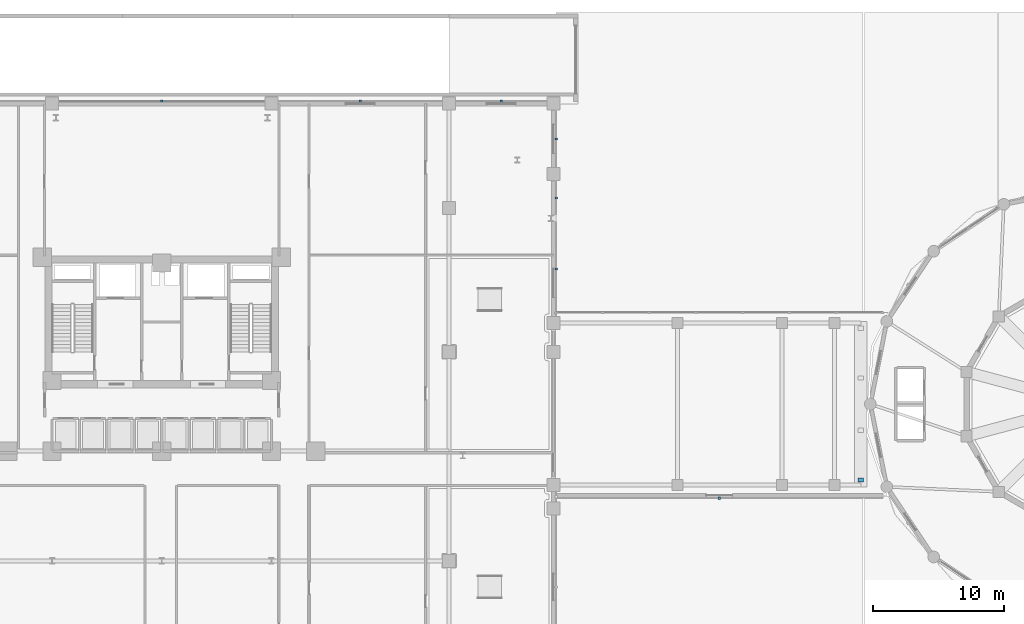
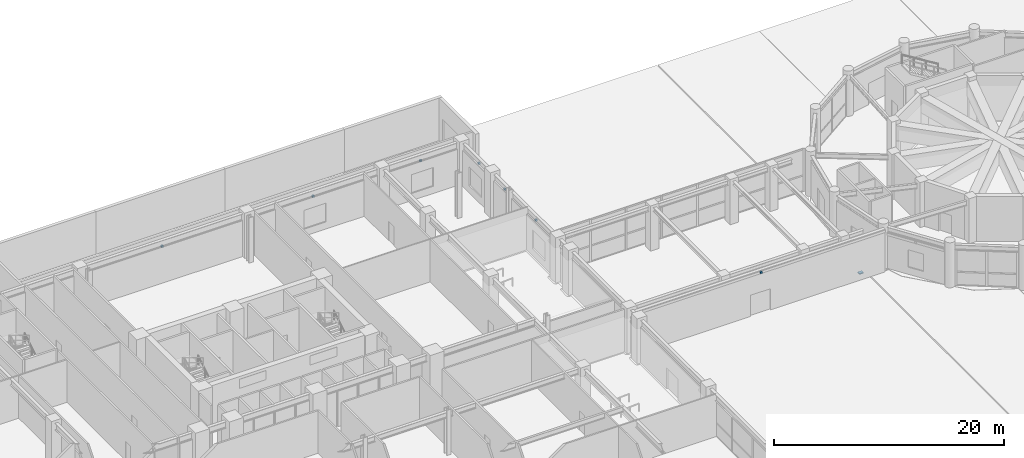
# One storey, part 33 of 40: 8 discrete accessories.
"""IFC4 building model written with IfcOpenShell, lengths in metres."""

from ifc_helpers import new_model, si_unit, derived_unit, direction, frame, origin, origin_2d, place, context, subcontext, project, spatial, rectangle, extrude, source, transform, mapped, material, type_object, element, save


model = new_model("IFC4")

# Units and contexts
model_context = context("Model", 3, precision=1e-05, world=origin(), true_north=direction((0.0, 1.0)))
body_context = subcontext(model_context, "Body", "Model", "MODEL_VIEW")
ifc_project = project(units=[si_unit("LENGTHUNIT", "METRE"), si_unit("AREAUNIT", "SQUARE_METRE"), si_unit("VOLUMEUNIT", "CUBIC_METRE"), si_unit("PLANEANGLEUNIT", "RADIAN"), si_unit("MASSUNIT", "GRAM", prefix="KILO"), derived_unit("THERMALTRANSMITTANCEUNIT", [(si_unit("POWERUNIT", "WATT"), 1), (si_unit("LENGTHUNIT", "METRE"), -2), (si_unit("THERMODYNAMICTEMPERATUREUNIT", "KELVIN"), -1)])], contexts=[model_context])

# Site, building, storey
site_placement = place(None, origin())
site = spatial("IfcSite", under=ifc_project, at=site_placement, CompositionType="ELEMENT")
building_placement = place(site_placement, origin())
building = spatial("IfcBuilding", under=site, at=building_placement, Name="Korsvarv Bourse and Concert Hall", CompositionType="ELEMENT")
storey_placement = place(building_placement, origin())
storey = spatial("IfcBuildingStorey", under=building, at=storey_placement, Name="L00", CompositionType="ELEMENT", Elevation=0.0)

# Discrete accessories
ifc_material_1 = material(Name="Steel S355 and PTFE bearing", Category="steel")
discrete_accessory_type_1 = type_object("IfcDiscreteAccessoryType", Name="ACC-PTFE", PredefinedType="USERDEFINED", material=ifc_material_1)
shared_shape_1 = source(origin(), body_context, "Body", "SweptSolid", [
    extrude(rectangle(XDim=0.39990234375, YDim=0.320068359375, at=origin_2d()), origin(), (0.0, 0.0, 1.0), 0.1201171875),
])
discrete_accessory_placement = place(storey_placement, frame((89.52001953125, 30.199951171875, -0.380126953125), z_axis=(0.0, 0.0, 1.0), x_axis=(1.0, 0.0, 0.0)))
element("IfcDiscreteAccessory", 1, at=discrete_accessory_placement, inside=storey, type_object=discrete_accessory_type_1, Name="L00 link gallery PTFE sliding bearing 1", ObjectType="SLIDING BEARING", PredefinedType="USERDEFINED", context=body_context, shape_type="MappedRepresentation", body=[
    mapped(shared_shape_1, transform((0.0, 0.0, 0.0), scale=1.0)),
])
ifc_material_2 = material(Name="Stainless Steel S355 facade outrigger bracket", Category="steel")
discrete_accessory_type_2 = type_object("IfcDiscreteAccessoryType", Name="ACC-BRK-1", PredefinedType="BRACKET", material=ifc_material_2)
shared_shape_2 = source(origin(), body_context, "Body", "SweptSolid", [
    extrude(rectangle(XDim=0.179931640625, YDim=0.179931640625, at=origin_2d()), origin(), (0.0, 0.0, 1.0), 0.199951171875),
])
for number, where, z_axis, x_axis, name in (
    (2, (36.0, 59.199951171875, 3.56005859375), (0.0, 0.0, 1.0), (1.0, 0.0, 0.0), "L00 terracotta sunshade bracket EW-L00-N3"),
    (3, (51.199951171875, 59.199951171875, 3.56005859375), (0.0, 0.0, 1.0), (1.0, 0.0, 0.0), "L00 terracotta sunshade bracket EW-L00-N4"),
    (4, (62.0, 59.199951171875, 3.56005859375), (0.0, 0.0, 1.0), (1.0, 0.0, 0.0), "L00 terracotta sunshade bracket EW-L00-N5"),
    (5, (66.199951171875, 46.340087890625, 3.56005859375), (0.0, 0.0, 1.0), (0.0, 1.0, 0.0), "L00 terracotta sunshade bracket EW-L00-E3-1"),
    (6, (66.199951171875, 51.777099609375, 3.56005859375), (0.0, 0.0, 1.0), (0.0, 1.0, 0.0), "L00 terracotta sunshade bracket EW-L00-E3-2"),
    (7, (66.199951171875, 56.300048828125, 3.56005859375), (0.0, 0.0, 1.0), (0.0, 1.0, 0.0), "L00 terracotta sunshade bracket EW-L00-E4"),
    (8, (78.68994140625, 28.800048828125, 4.27978515625), (0.0, 0.0, 1.0), (1.0, 0.0, 0.0), "L00 terracotta sunshade bracket EW-L00-LKS"),
):
    element("IfcDiscreteAccessory", number, at=place(storey_placement, frame(where, z_axis=z_axis, x_axis=x_axis)), inside=storey, type_object=discrete_accessory_type_2, Name=name, PredefinedType="BRACKET", context=body_context, shape_type="MappedRepresentation", body=[
        mapped(shared_shape_2, transform((0.0, 0.0, 0.0), scale=1.0)),
    ])

save(model, "model.ifc")
